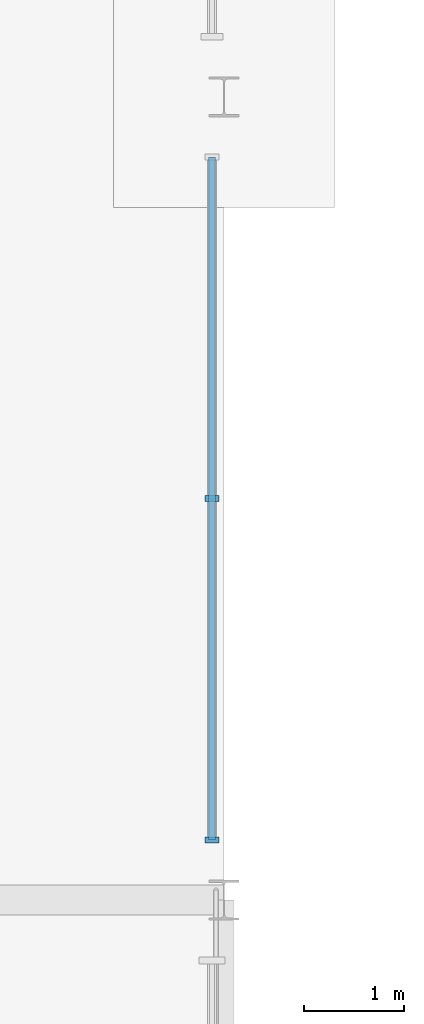
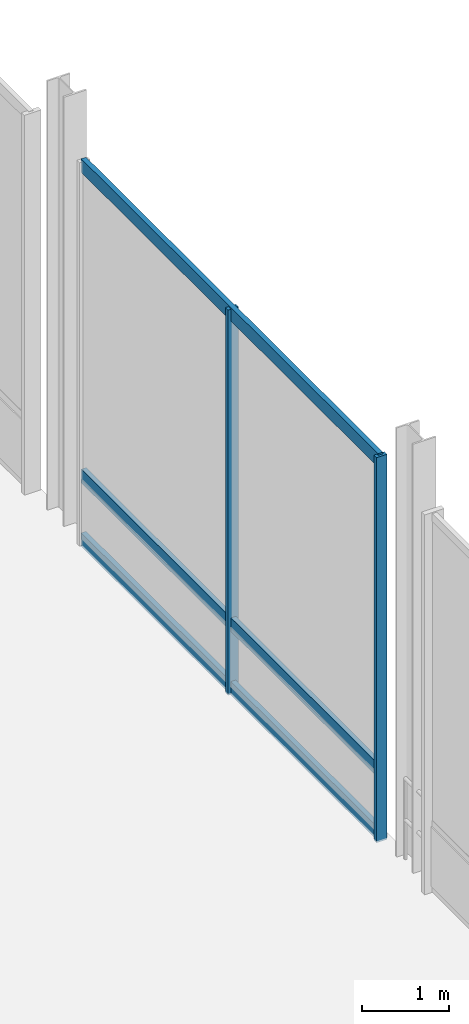
# One storey, part 43 of 124: 5 members, 1 element without a shape of its own.
"""IFC4 building model written with IfcOpenShell, lengths in metres."""

from ifc_helpers import new_model, si_unit, direction, frame, origin, origin_2d, place, context, subcontext, project, spatial, rectangle, extrude, material, material_profile, profile_set, type_object, element, aggregate, save


model = new_model("IFC4")

# Units and contexts
model_context = context("Model", 3, precision=1e-05, world=origin(), true_north=direction((0.0, 1.0)))
body_context = subcontext(model_context, "Body", "Model", "MODEL_VIEW")
ifc_project = project(units=[si_unit("LENGTHUNIT", "METRE"), si_unit("AREAUNIT", "SQUARE_METRE"), si_unit("VOLUMEUNIT", "CUBIC_METRE"), si_unit("PLANEANGLEUNIT", "RADIAN"), si_unit("MASSUNIT", "GRAM", prefix="KILO")], contexts=[model_context])

# Site, building, storey
site_placement = place(None, origin())
site = spatial("IfcSite", under=ifc_project, at=site_placement, CompositionType="ELEMENT")
building_placement = place(site_placement, origin())
building = spatial("IfcBuilding", under=site, at=building_placement, Name="Danafjord Basin Convention Centre", CompositionType="ELEMENT")
storey_placement = place(building_placement, origin())
storey = spatial("IfcBuildingStorey", under=building, at=storey_placement, Name="L00", CompositionType="ELEMENT", Elevation=0.0)

# Curtain wall, members
ifc_material_1 = material(Name="Anodised aluminium and triple glazing", Category="aluminium")
curtain_wall_type = type_object("IfcCurtainWallType", Name="CW-CW-BRIDGE", PredefinedType="NOTDEFINED", material=ifc_material_1)
curtain_wall_placement = place(storey_placement, origin())
curtain_wall = element("IfcCurtainWall", 1, at=curtain_wall_placement, inside=storey, type_object=curtain_wall_type, Name="L00 CW-BRIDGE unitised curtain wall bay 155", PredefinedType="NOTDEFINED")
ifc_material_2 = material(Name="Anodised aluminium EN AW-6060", Category="aluminium")
ifc_material_profile_1 = material_profile(ifc_material_2, rectangle(XDim=0.06005859375, YDim=0.139892578125, at=origin_2d()), Name="MULL 60x140")
ifc_profile_set_1 = profile_set([ifc_material_profile_1], Name="Anodised aluminium EN AW-6060")
member_type_1 = type_object("IfcMemberType", Name="MEM-ML-140", PredefinedType="MULLION", material=ifc_profile_set_1)
member_1_placement = place(storey_placement, frame((124.679931640625, 24.60009765625, -0.02490234375), z_axis=(0.0, 0.0, 1.0), x_axis=(0.0, 1.0, 0.0)))
member_1 = element("IfcMember", 2, at=member_1_placement, type_object=member_type_1, Name="CW-L00-155 mullion 1", PredefinedType="MULLION", context=body_context, shape_type="SweptSolid", body=[
    extrude(rectangle(XDim=0.06005859375, YDim=0.139892578125, at=origin_2d()), origin(), (0.0, 0.0, 1.0), 5.385009765625),
])
member_2_placement = place(storey_placement, frame((124.679931640625, 28.0, -0.02490234375), z_axis=(0.0, 0.0, 1.0), x_axis=(0.0, 1.0, 0.0)))
member_2 = element("IfcMember", 3, at=member_2_placement, type_object=member_type_1, Name="CW-L00-155 mullion 2", PredefinedType="MULLION", context=body_context, shape_type="SweptSolid", body=[
    extrude(rectangle(XDim=0.06005859375, YDim=0.139892578125, at=origin_2d()), origin(), (0.0, 0.0, 1.0), 5.385009765625),
])
ifc_material_profile_2 = material_profile(ifc_material_2, rectangle(XDim=0.06494140625, YDim=0.18994140625, at=origin_2d()), Name="TRAN 65x190")
ifc_profile_set_2 = profile_set([ifc_material_profile_2], Name="Anodised aluminium EN AW-6060")
member_type_2 = type_object("IfcMemberType", Name="MEM-TR-190", PredefinedType="USERDEFINED", material=ifc_profile_set_2)
member_3_placement = place(storey_placement, frame((124.679931640625, 24.60009765625, 0.06005859375), z_axis=(0.0, 1.0, 0.0), x_axis=(-1.0, 0.0, 0.0)))
member_3 = element("IfcMember", 4, at=member_3_placement, type_object=member_type_2, Name="CW-L00-155 transom 1", ObjectType="TRANSOM", PredefinedType="USERDEFINED", context=body_context, shape_type="SweptSolid", body=[
    extrude(rectangle(XDim=0.06494140625, YDim=0.18994140625, at=origin_2d()), origin(), (0.0, 0.0, 1.0), 6.7998046875),
])
member_4_placement = place(storey_placement, frame((124.679931640625, 24.60009765625, 0.949951171875), z_axis=(0.0, 1.0, 0.0), x_axis=(-1.0, 0.0, 0.0)))
member_4 = element("IfcMember", 5, at=member_4_placement, type_object=member_type_2, Name="CW-L00-155 transom 2", ObjectType="TRANSOM", PredefinedType="USERDEFINED", context=body_context, shape_type="SweptSolid", body=[
    extrude(rectangle(XDim=0.06494140625, YDim=0.18994140625, at=origin_2d()), origin(), (0.0, 0.0, 1.0), 6.7998046875),
])
member_5_placement = place(storey_placement, frame((124.679931640625, 24.60009765625, 5.2900390625), z_axis=(0.0, 1.0, 0.0), x_axis=(-1.0, 0.0, 0.0)))
member_5 = element("IfcMember", 6, at=member_5_placement, type_object=member_type_2, Name="CW-L00-155 transom 3", ObjectType="TRANSOM", PredefinedType="USERDEFINED", context=body_context, shape_type="SweptSolid", body=[
    extrude(rectangle(XDim=0.06494140625, YDim=0.18994140625, at=origin_2d()), origin(), (0.0, 0.0, 1.0), 6.7998046875),
])
aggregate(curtain_wall, [member_1, member_2, member_3, member_4, member_5])

save(model, "model.ifc")
